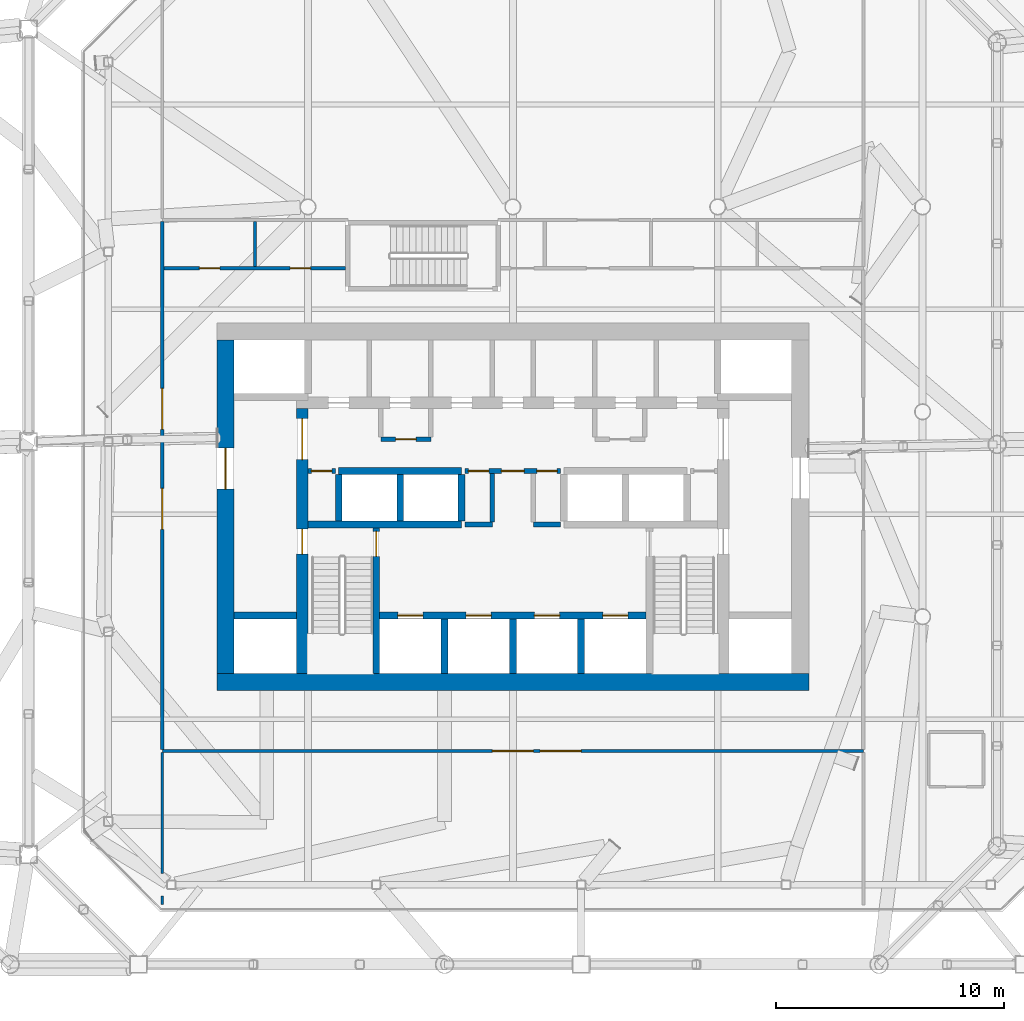
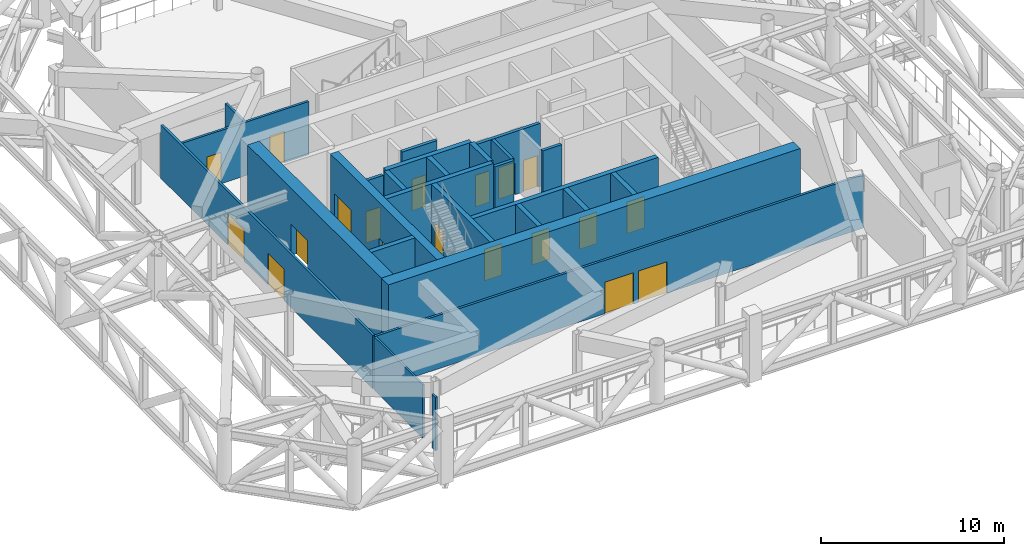
# One storey, part 13 of 21: 26 walls, 19 doors, 19 openings.
"""IFC4 building model written with IfcOpenShell, lengths in metres."""

from ifc_helpers import new_model, si_unit, direction, frame, frame_2d, origin, place, context, subcontext, project, spatial, rectangle, extrude, material, layer, layer_set, type_object, element, fill, save


model = new_model("IFC4")

# Units and contexts
model_context = context("Model", 3, precision=1e-05, world=origin(), true_north=direction((0.0, 1.0)))
body_context = subcontext(model_context, "Body", "Model", "MODEL_VIEW")
ifc_project = project(units=[si_unit("LENGTHUNIT", "METRE"), si_unit("AREAUNIT", "SQUARE_METRE"), si_unit("VOLUMEUNIT", "CUBIC_METRE"), si_unit("PLANEANGLEUNIT", "RADIAN"), si_unit("MASSUNIT", "GRAM", prefix="KILO")], contexts=[model_context])

# Site, building, storey
site_placement = place(None, origin())
site = spatial("IfcSite", under=ifc_project, at=site_placement, CompositionType="ELEMENT")
building_placement = place(site_placement, origin())
building = spatial("IfcBuilding", under=site, at=building_placement, Name="Tskaro Facet Tower", CompositionType="ELEMENT")
storey_placement = place(building_placement, frame((0.0, 0.0, 167.699951171875)))
storey = spatial("IfcBuildingStorey", under=building, at=storey_placement, Name="L41", CompositionType="ELEMENT", Elevation=167.699951171875)

# Wall
ifc_material_1 = material(Name="Concrete C60/75", Category="concrete")
ifc_layer_1 = layer(ifc_material_1, 0.300048828125, Name="Concrete C60/75")
ifc_layer_set_1 = layer_set([ifc_layer_1], Name="Concrete C60/75")
wall_type_1 = type_object("IfcWallType", Name="CORE-SHAFT", PredefinedType="SHEAR", material=ifc_layer_set_1)
wall_1_placement = place(storey_placement, frame((-12.25, -8.949951171875, 0.0), z_axis=(0.0, 0.0, 1.0), x_axis=(1.0, 0.0, 0.0)))
element("IfcWall", 1, at=wall_1_placement, inside=storey, type_object=wall_type_1, Name="Shaft wall W004", PredefinedType="SHEAR", context=body_context, shape_type="SweptSolid", body=[
    extrude(rectangle(XDim=2.75, YDim=0.300048828125, at=frame_2d((1.375, 0.0))), origin(), (0.0, 0.0, 1.0), 4.5),
])

# Wall, openings, doors
wall_2_placement = place(storey_placement, frame((-5.85009765625, -8.949951171875, 0.0), z_axis=(0.0, 0.0, 1.0), x_axis=(1.0, 0.0, 0.0)))
wall_2 = element("IfcWall", 2, at=wall_2_placement, inside=storey, type_object=wall_type_1, Name="Shaft wall W005", PredefinedType="SHEAR", context=body_context, shape_type="SweptSolid", body=[
    extrude(rectangle(XDim=11.7001953125, YDim=0.300048828125, at=frame_2d((5.85009765625, 0.0))), origin(), (0.0, 0.0, 1.0), 4.5),
])
opening_1_placement = place(wall_2_placement, frame((0.800048828125, 0.0, 0.0)))
opening_1 = element("IfcOpeningElement", 3, at=opening_1_placement, cuts=wall_2, Name="Opening LD-FF1", PredefinedType="OPENING", context=body_context, shape_type="SweptSolid", body=[
    extrude(rectangle(XDim=1.10009765625, YDim=2.10009765625, at=frame_2d((0.550048828125, 1.050048828125))), frame((0.0, 0.159912109375, 0.0), z_axis=(0.0, -1.0, 0.0), x_axis=(1.0, 0.0, 0.0)), (0.0, 0.0, 1.0), 0.320068359375),
])
opening_2_placement = place(wall_2_placement, frame((3.800048828125, 0.0, 0.0)))
opening_2 = element("IfcOpeningElement", 4, at=opening_2_placement, cuts=wall_2, Name="Opening LD-FF2", PredefinedType="OPENING", context=body_context, shape_type="SweptSolid", body=[
    extrude(rectangle(XDim=1.10009765625, YDim=2.10009765625, at=frame_2d((0.550048828125, 1.050048828125))), frame((0.0, 0.159912109375, 0.0), z_axis=(0.0, -1.0, 0.0), x_axis=(1.0, 0.0, 0.0)), (0.0, 0.0, 1.0), 0.320068359375),
])
opening_3_placement = place(wall_2_placement, frame((6.800048828125, 0.0, 0.0)))
opening_3 = element("IfcOpeningElement", 5, at=opening_3_placement, cuts=wall_2, Name="Opening LD-SV1", PredefinedType="OPENING", context=body_context, shape_type="SweptSolid", body=[
    extrude(rectangle(XDim=1.10009765625, YDim=2.10009765625, at=frame_2d((0.550048828125, 1.050048828125))), frame((0.0, 0.159912109375, 0.0), z_axis=(0.0, -1.0, 0.0), x_axis=(1.0, 0.0, 0.0)), (0.0, 0.0, 1.0), 0.320068359375),
])
opening_4_placement = place(wall_2_placement, frame((9.800048828125, 0.0, 0.0)))
opening_4 = element("IfcOpeningElement", 6, at=opening_4_placement, cuts=wall_2, Name="Opening LD-SV2", PredefinedType="OPENING", context=body_context, shape_type="SweptSolid", body=[
    extrude(rectangle(XDim=1.10009765625, YDim=2.10009765625, at=frame_2d((0.550048828125, 1.050048828125))), frame((0.0, 0.159912109375, 0.0), z_axis=(0.0, -1.0, 0.0), x_axis=(1.0, 0.0, 0.0)), (0.0, 0.0, 1.0), 0.320068359375),
])
ifc_material_2 = material(Name="Stainless steel", Category="steel")
door_type_1 = type_object("IfcDoorType", Name="D-LANDING", OperationType="NOTDEFINED", PredefinedType="DOOR", material=ifc_material_2)
door_1_placement = place(opening_1_placement, origin())
door_1 = element("IfcDoor", 7, at=door_1_placement, inside=storey, type_object=door_type_1, Name="Landing door FF1", OperationType="DOUBLE_DOOR_SLIDING", OverallHeight=2.10009765625, OverallWidth=1.10009765625, PredefinedType="DOOR", context=body_context, shape_type="SweptSolid", body=[
    extrude(rectangle(XDim=1.10009765625, YDim=2.10009765625, at=frame_2d((0.550048828125, 1.050048828125))), frame((0.0, 0.02490234375, 0.0), z_axis=(0.0, -1.0, 0.0), x_axis=(1.0, 0.0, 0.0)), (0.0, 0.0, 1.0), 0.050048828125),
])
fill(opening_1, door_1)
door_2_placement = place(opening_2_placement, origin())
door_2 = element("IfcDoor", 8, at=door_2_placement, inside=storey, type_object=door_type_1, Name="Landing door FF2", OperationType="DOUBLE_DOOR_SLIDING", OverallHeight=2.10009765625, OverallWidth=1.10009765625, PredefinedType="DOOR", context=body_context, shape_type="SweptSolid", body=[
    extrude(rectangle(XDim=1.10009765625, YDim=2.10009765625, at=frame_2d((0.550048828125, 1.050048828125))), frame((0.0, 0.02490234375, 0.0), z_axis=(0.0, -1.0, 0.0), x_axis=(1.0, 0.0, 0.0)), (0.0, 0.0, 1.0), 0.050048828125),
])
fill(opening_2, door_2)
door_3_placement = place(opening_3_placement, origin())
door_3 = element("IfcDoor", 9, at=door_3_placement, inside=storey, type_object=door_type_1, Name="Landing door SV1", OperationType="DOUBLE_DOOR_SLIDING", OverallHeight=2.10009765625, OverallWidth=1.10009765625, PredefinedType="DOOR", context=body_context, shape_type="SweptSolid", body=[
    extrude(rectangle(XDim=1.10009765625, YDim=2.10009765625, at=frame_2d((0.550048828125, 1.050048828125))), frame((0.0, 0.02490234375, 0.0), z_axis=(0.0, -1.0, 0.0), x_axis=(1.0, 0.0, 0.0)), (0.0, 0.0, 1.0), 0.050048828125),
])
fill(opening_3, door_3)
door_4_placement = place(opening_4_placement, origin())
door_4 = element("IfcDoor", 10, at=door_4_placement, inside=storey, type_object=door_type_1, Name="Landing door SV2", OperationType="DOUBLE_DOOR_SLIDING", OverallHeight=2.10009765625, OverallWidth=1.10009765625, PredefinedType="DOOR", context=body_context, shape_type="SweptSolid", body=[
    extrude(rectangle(XDim=1.10009765625, YDim=2.10009765625, at=frame_2d((0.550048828125, 1.050048828125))), frame((0.0, 0.02490234375, 0.0), z_axis=(0.0, -1.0, 0.0), x_axis=(1.0, 0.0, 0.0)), (0.0, 0.0, 1.0), 0.050048828125),
])
fill(opening_4, door_4)

# Walls
wall_3_placement = place(storey_placement, frame((-9.0, -4.949951171875, 0.0), z_axis=(0.0, 0.0, 1.0), x_axis=(1.0, 0.0, 0.0)))
element("IfcWall", 11, at=wall_3_placement, inside=storey, type_object=wall_type_1, Name="Shaft wall W007", PredefinedType="SHEAR", context=body_context, shape_type="SweptSolid", body=[
    extrude(rectangle(XDim=6.75, YDim=0.300048828125, at=frame_2d((3.375, 0.0))), origin(), (0.0, 0.0, 1.0), 4.5),
])
wall_4_placement = place(storey_placement, frame((-7.64990234375, -2.60009765625, 0.0), z_axis=(0.0, 0.0, 1.0), x_axis=(1.0, 0.0, 0.0)))
element("IfcWall", 12, at=wall_4_placement, inside=storey, type_object=wall_type_1, Name="Shaft wall W012", PredefinedType="SHEAR", context=body_context, shape_type="SweptSolid", body=[
    extrude(rectangle(XDim=5.39990234375, YDim=0.300048828125, at=frame_2d((2.699951171875, 0.0))), origin(), (0.0, 0.0, 1.0), 4.5),
])
wall_5_placement = place(storey_placement, frame((-7.64990234375, -4.800048828125, 0.0), z_axis=(0.0, 0.0, 1.0), x_axis=(0.0, 1.0, 0.0)))
element("IfcWall", 13, at=wall_5_placement, inside=storey, type_object=wall_type_1, Name="Shaft wall W033", PredefinedType="SHEAR", context=body_context, shape_type="SweptSolid", body=[
    extrude(rectangle(XDim=2.050048828125, YDim=0.300048828125, at=frame_2d((1.02490234375, 0.0))), origin(), (0.0, 0.0, 1.0), 4.5),
])

# Wall, opening, door
wall_6_placement = place(storey_placement, frame((-6.0, -11.5, 0.0), z_axis=(0.0, 0.0, 1.0), x_axis=(0.0, 1.0, 0.0)))
wall_6 = element("IfcWall", 14, at=wall_6_placement, inside=storey, type_object=wall_type_1, Name="Shaft wall W036", PredefinedType="SHEAR", context=body_context, shape_type="SweptSolid", body=[
    extrude(rectangle(XDim=6.39990234375, YDim=0.300048828125, at=frame_2d((3.199951171875, 0.0))), origin(), (0.0, 0.0, 1.0), 4.5),
])
opening_5_placement = place(wall_6_placement, frame((5.14990234375, 0.0, 0.0)))
opening_5 = element("IfcOpeningElement", 15, at=opening_5_placement, cuts=wall_6, Name="Opening ST-1-D1", PredefinedType="OPENING", context=body_context, shape_type="SweptSolid", body=[
    extrude(rectangle(XDim=1.10009765625, YDim=2.10009765625, at=frame_2d((0.550048828125, 1.050048828125))), frame((0.0, 0.159912109375, 0.0), z_axis=(0.0, -1.0, 0.0), x_axis=(1.0, 0.0, 0.0)), (0.0, 0.0, 1.0), 0.320068359375),
])
ifc_material_3 = material(Name="Steel", Category="steel")
door_type_2 = type_object("IfcDoorType", Name="D-STAIR", OperationType="NOTDEFINED", PredefinedType="DOOR", material=ifc_material_3)
door_5_placement = place(opening_5_placement, origin())
door_5 = element("IfcDoor", 16, at=door_5_placement, inside=storey, type_object=door_type_2, Name="Stair door 1", OperationType="SINGLE_SWING_LEFT", OverallHeight=2.10009765625, OverallWidth=1.10009765625, PredefinedType="DOOR", context=body_context, shape_type="SweptSolid", body=[
    extrude(rectangle(XDim=1.10009765625, YDim=2.10009765625, at=frame_2d((0.550048828125, 1.050048828125))), frame((0.0, 0.02490234375, 0.0), z_axis=(0.0, -1.0, 0.0), x_axis=(1.0, 0.0, 0.0)), (0.0, 0.0, 1.0), 0.050048828125),
])
fill(opening_5, door_5)

# Walls
wall_7_placement = place(storey_placement, frame((-4.949951171875, -4.800048828125, 0.0), z_axis=(0.0, 0.0, 1.0), x_axis=(0.0, 1.0, 0.0)))
element("IfcWall", 17, at=wall_7_placement, inside=storey, type_object=wall_type_1, Name="Shaft wall W038", PredefinedType="SHEAR", context=body_context, shape_type="SweptSolid", body=[
    extrude(rectangle(XDim=2.050048828125, YDim=0.300048828125, at=frame_2d((1.02490234375, 0.0))), origin(), (0.0, 0.0, 1.0), 4.5),
])
wall_8_placement = place(storey_placement, frame((-3.0, -11.5, 0.0), z_axis=(0.0, 0.0, 1.0), x_axis=(0.0, 1.0, 0.0)))
element("IfcWall", 18, at=wall_8_placement, inside=storey, type_object=wall_type_1, Name="Shaft wall W041", PredefinedType="SHEAR", context=body_context, shape_type="SweptSolid", body=[
    extrude(rectangle(XDim=2.39990234375, YDim=0.300048828125, at=frame_2d((1.199951171875, 0.0))), origin(), (0.0, 0.0, 1.0), 4.5),
])
wall_9_placement = place(storey_placement, frame((-2.25, -4.800048828125, 0.0), z_axis=(0.0, 0.0, 1.0), x_axis=(0.0, 1.0, 0.0)))
element("IfcWall", 19, at=wall_9_placement, inside=storey, type_object=wall_type_1, Name="Shaft wall W042", PredefinedType="SHEAR", context=body_context, shape_type="SweptSolid", body=[
    extrude(rectangle(XDim=2.050048828125, YDim=0.300048828125, at=frame_2d((1.02490234375, 0.0))), origin(), (0.0, 0.0, 1.0), 4.5),
])
for number, where, z_axis, x_axis, name in (
    (20, (0.0, -11.5, 0.0), (0.0, 0.0, 1.0), (0.0, 1.0, 0.0), "Shaft wall W046"),
    (21, (3.0, -11.5, 0.0), (0.0, 0.0, 1.0), (0.0, 1.0, 0.0), "Shaft wall W051"),
):
    element("IfcWall", number, at=place(storey_placement, frame(where, z_axis=z_axis, x_axis=x_axis)), inside=storey, type_object=wall_type_1, Name=name, PredefinedType="SHEAR", context=body_context, shape_type="SweptSolid", body=[
        extrude(rectangle(XDim=2.39990234375, YDim=0.300048828125, at=frame_2d((1.199951171875, 0.0))), origin(), (0.0, 0.0, 1.0), 4.5),
    ])
ifc_material_4 = material(Name="Concrete C20/25", Category="concrete")
ifc_layer_2 = layer(ifc_material_4, 0.199951171875, Name="Concrete C20/25")
ifc_layer_set_2 = layer_set([ifc_layer_2], Name="Concrete C20/25")
wall_type_2 = type_object("IfcWallType", Name="CORE-WALL", PredefinedType="SOLIDWALL", material=ifc_layer_set_2)
for number, where, z_axis, x_axis, name in (
    (22, (-2.10009765625, -4.949951171875, 0.0), (0.0, 0.0, 1.0), (1.0, 0.0, 0.0), "Core room wall W008"),
    (23, (0.89990234375, -4.949951171875, 0.0), (0.0, 0.0, 1.0), (1.0, 0.0, 0.0), "Core room wall W009"),
):
    element("IfcWall", number, at=place(storey_placement, frame(where, z_axis=z_axis, x_axis=x_axis)), inside=storey, type_object=wall_type_2, Name=name, PredefinedType="SOLIDWALL", context=body_context, shape_type="SweptSolid", body=[
        extrude(rectangle(XDim=1.2001953125, YDim=0.199951171875, at=frame_2d((0.60009765625, 0.0))), origin(), (0.0, 0.0, 1.0), 4.199951171875),
    ])

# Wall, opening, door
wall_10_placement = place(storey_placement, frame((-7.800048828125, -2.60009765625, 0.0), z_axis=(0.0, 0.0, 1.0), x_axis=(-1.0, 0.0, 0.0)))
wall_10 = element("IfcWall", 24, at=wall_10_placement, inside=storey, type_object=wall_type_2, Name="Core room wall W011", PredefinedType="SOLIDWALL", context=body_context, shape_type="SweptSolid", body=[
    extrude(rectangle(XDim=1.199951171875, YDim=0.199951171875, at=frame_2d((0.60009765625, 0.0))), origin(), (0.0, 0.0, 1.0), 4.199951171875),
])
opening_6_placement = place(wall_10_placement, frame((0.14990234375, 0.0, 0.0)))
opening_6 = element("IfcOpeningElement", 25, at=opening_6_placement, cuts=wall_10, Name="Opening R41-D08", PredefinedType="OPENING", context=body_context, shape_type="SweptSolid", body=[
    extrude(rectangle(XDim=0.89990234375, YDim=2.10009765625, at=frame_2d((0.449951171875, 1.050048828125))), frame((0.0, 0.10986328125, 0.0), z_axis=(0.0, -1.0, 0.0), x_axis=(1.0, 0.0, 0.0)), (0.0, 0.0, 1.0), 0.219970703125),
])
ifc_material_5 = material(Name="Timber", Category="wood")
door_type_3 = type_object("IfcDoorType", Name="D-ROOM", OperationType="NOTDEFINED", PredefinedType="DOOR", material=ifc_material_5)
door_6_placement = place(opening_6_placement, origin())
door_6 = element("IfcDoor", 26, at=door_6_placement, inside=storey, type_object=door_type_3, Name="Door R41-D08", OperationType="SINGLE_SWING_RIGHT", OverallHeight=2.10009765625, OverallWidth=0.89990234375, PredefinedType="DOOR", context=body_context, shape_type="SweptSolid", body=[
    extrude(rectangle(XDim=0.89990234375, YDim=2.10009765625, at=frame_2d((0.449951171875, 1.050048828125))), frame((0.0, 0.02490234375, 0.0), z_axis=(0.0, -1.0, 0.0), x_axis=(1.0, 0.0, 0.0)), (0.0, 0.0, 1.0), 0.050048828125),
])
fill(opening_6, door_6)

# Wall, openings, doors
wall_11_placement = place(storey_placement, frame((2.10009765625, -2.60009765625, 0.0), z_axis=(0.0, 0.0, 1.0), x_axis=(-1.0, 0.0, 0.0)))
wall_11 = element("IfcWall", 27, at=wall_11_placement, inside=storey, type_object=wall_type_2, Name="Core room wall W013", PredefinedType="SOLIDWALL", context=body_context, shape_type="SweptSolid", body=[
    extrude(rectangle(XDim=4.2001953125, YDim=0.199951171875, at=frame_2d((2.10009765625, 0.0))), origin(), (0.0, 0.0, 1.0), 4.199951171875),
])
opening_7_placement = place(wall_11_placement, frame((1.60009765625, 0.0, 0.0)))
opening_7 = element("IfcOpeningElement", 28, at=opening_7_placement, cuts=wall_11, Name="Opening FL-D1", PredefinedType="OPENING", context=body_context, shape_type="SweptSolid", body=[
    extrude(rectangle(XDim=1.0, YDim=2.10009765625, at=frame_2d((0.5, 1.050048828125))), frame((0.0, 0.10986328125, 0.0), z_axis=(0.0, -1.0, 0.0), x_axis=(1.0, 0.0, 0.0)), (0.0, 0.0, 1.0), 0.219970703125),
])
opening_8_placement = place(wall_11_placement, frame((3.14990234375, 0.0, 0.0)))
opening_8 = element("IfcOpeningElement", 29, at=opening_8_placement, cuts=wall_11, Name="Opening R41-D09", PredefinedType="OPENING", context=body_context, shape_type="SweptSolid", body=[
    extrude(rectangle(XDim=0.89990234375, YDim=2.10009765625, at=frame_2d((0.449951171875, 1.050048828125))), frame((0.0, 0.10986328125, 0.0), z_axis=(0.0, -1.0, 0.0), x_axis=(1.0, 0.0, 0.0)), (0.0, 0.0, 1.0), 0.219970703125),
])
opening_9_placement = place(wall_11_placement, frame((0.14990234375, 0.0, 0.0)))
opening_9 = element("IfcOpeningElement", 30, at=opening_9_placement, cuts=wall_11, Name="Opening R41-D10", PredefinedType="OPENING", context=body_context, shape_type="SweptSolid", body=[
    extrude(rectangle(XDim=0.89990234375, YDim=2.10009765625, at=frame_2d((0.449951171875, 1.050048828125))), frame((0.0, 0.10986328125, 0.0), z_axis=(0.0, -1.0, 0.0), x_axis=(1.0, 0.0, 0.0)), (0.0, 0.0, 1.0), 0.219970703125),
])
door_type_4 = type_object("IfcDoorType", Name="D-LOBBY", OperationType="NOTDEFINED", PredefinedType="DOOR", material=ifc_material_3)
door_7_placement = place(opening_7_placement, origin())
door_7 = element("IfcDoor", 31, at=door_7_placement, inside=storey, type_object=door_type_4, Name="Lobby door FL", OperationType="SINGLE_SWING_RIGHT", OverallHeight=2.10009765625, OverallWidth=1.0, PredefinedType="DOOR", context=body_context, shape_type="SweptSolid", body=[
    extrude(rectangle(XDim=1.0, YDim=2.10009765625, at=frame_2d((0.5, 1.050048828125))), frame((0.0, 0.02490234375, 0.0), z_axis=(0.0, -1.0, 0.0), x_axis=(1.0, 0.0, 0.0)), (0.0, 0.0, 1.0), 0.050048828125),
])
fill(opening_7, door_7)
door_8_placement = place(opening_8_placement, origin())
door_8 = element("IfcDoor", 32, at=door_8_placement, inside=storey, type_object=door_type_3, Name="Door R41-D09", OperationType="SINGLE_SWING_RIGHT", OverallHeight=2.10009765625, OverallWidth=0.89990234375, PredefinedType="DOOR", context=body_context, shape_type="SweptSolid", body=[
    extrude(rectangle(XDim=0.89990234375, YDim=2.10009765625, at=frame_2d((0.449951171875, 1.050048828125))), frame((0.0, 0.02490234375, 0.0), z_axis=(0.0, -1.0, 0.0), x_axis=(1.0, 0.0, 0.0)), (0.0, 0.0, 1.0), 0.050048828125),
])
fill(opening_8, door_8)
door_9_placement = place(opening_9_placement, origin())
door_9 = element("IfcDoor", 33, at=door_9_placement, inside=storey, type_object=door_type_3, Name="Door R41-D10", OperationType="SINGLE_SWING_RIGHT", OverallHeight=2.10009765625, OverallWidth=0.89990234375, PredefinedType="DOOR", context=body_context, shape_type="SweptSolid", body=[
    extrude(rectangle(XDim=0.89990234375, YDim=2.10009765625, at=frame_2d((0.449951171875, 1.050048828125))), frame((0.0, 0.02490234375, 0.0), z_axis=(0.0, -1.0, 0.0), x_axis=(1.0, 0.0, 0.0)), (0.0, 0.0, 1.0), 0.050048828125),
])
fill(opening_9, door_9)

# Wall, opening, door
wall_12_placement = place(storey_placement, frame((-5.800048828125, -1.199951171875, 0.0), z_axis=(0.0, 0.0, 1.0), x_axis=(1.0, 0.0, 0.0)))
wall_12 = element("IfcWall", 34, at=wall_12_placement, inside=storey, type_object=wall_type_2, Name="Core room wall W016", PredefinedType="SOLIDWALL", context=body_context, shape_type="SweptSolid", body=[
    extrude(rectangle(XDim=2.199951171875, YDim=0.199951171875, at=frame_2d((1.10009765625, 0.0))), origin(), (0.0, 0.0, 1.0), 4.199951171875),
])
opening_10_placement = place(wall_12_placement, frame((0.64990234375, 0.0, 0.0)))
opening_10 = element("IfcOpeningElement", 35, at=opening_10_placement, cuts=wall_12, Name="Opening R41-D15", PredefinedType="OPENING", context=body_context, shape_type="SweptSolid", body=[
    extrude(rectangle(XDim=0.89990234375, YDim=2.10009765625, at=frame_2d((0.449951171875, 1.050048828125))), frame((0.0, 0.10986328125, 0.0), z_axis=(0.0, -1.0, 0.0), x_axis=(1.0, 0.0, 0.0)), (0.0, 0.0, 1.0), 0.219970703125),
])
door_10_placement = place(opening_10_placement, origin())
door_10 = element("IfcDoor", 36, at=door_10_placement, inside=storey, type_object=door_type_3, Name="Door R41-D15", OperationType="SINGLE_SWING_LEFT", OverallHeight=2.10009765625, OverallWidth=0.89990234375, PredefinedType="DOOR", context=body_context, shape_type="SweptSolid", body=[
    extrude(rectangle(XDim=0.89990234375, YDim=2.10009765625, at=frame_2d((0.449951171875, 1.050048828125))), frame((0.0, 0.02490234375, 0.0), z_axis=(0.0, -1.0, 0.0), x_axis=(1.0, 0.0, 0.0)), (0.0, 0.0, 1.0), 0.050048828125),
])
fill(opening_10, door_10)

# Wall
wall_13_placement = place(storey_placement, frame((-0.89990234375, -4.85009765625, 0.0), z_axis=(0.0, 0.0, 1.0), x_axis=(0.0, 1.0, 0.0)))
element("IfcWall", 37, at=wall_13_placement, inside=storey, type_object=wall_type_2, Name="Core room wall W043", PredefinedType="SOLIDWALL", context=body_context, shape_type="SweptSolid", body=[
    extrude(rectangle(XDim=2.150146484375, YDim=0.199951171875, at=frame_2d((1.0751953125, 0.0))), origin(), (0.0, 0.0, 1.0), 4.199951171875),
])

# Wall, openings, doors
ifc_material_6 = material(Name="Concrete C40/50", Category="concrete")
ifc_layer_3 = layer(ifc_material_6, 0.5, Name="Concrete C40/50")
ifc_layer_set_3 = layer_set([ifc_layer_3], Name="Concrete C40/50")
wall_type_3 = type_object("IfcWallType", Name="Core wall 500", PredefinedType="SHEAR", material=ifc_layer_set_3)
wall_14_placement = place(storey_placement, frame((-9.25, -11.5, 0.0), z_axis=(0.0, 0.0, 1.0), x_axis=(0.0, 1.0, 0.0)))
wall_14 = element("IfcWall", 38, at=wall_14_placement, inside=storey, type_object=wall_type_3, Name="Core wall CW-Z3W", PredefinedType="SHEAR", context=body_context, shape_type="SweptSolid", body=[
    extrude(rectangle(XDim=11.64990234375, YDim=0.5, at=frame_2d((5.824951171875, 0.0))), origin(), (0.0, 0.0, 1.0), 4.5),
])
opening_11_placement = place(wall_14_placement, frame((9.39990234375, 0.0, 0.0)))
opening_11 = element("IfcOpeningElement", 39, at=opening_11_placement, cuts=wall_14, Name="Opening R41-D14", PredefinedType="OPENING", context=body_context, shape_type="SweptSolid", body=[
    extrude(rectangle(XDim=1.800048828125, YDim=2.10009765625, at=frame_2d((0.89990234375, 1.050048828125))), frame((0.0, 0.260009765625, 0.0), z_axis=(0.0, -1.0, 0.0), x_axis=(1.0, 0.0, 0.0)), (0.0, 0.0, 1.0), 0.52001953125),
])
opening_12_placement = place(wall_14_placement, frame((5.25, 0.0, 0.0)))
opening_12 = element("IfcOpeningElement", 40, at=opening_12_placement, cuts=wall_14, Name="Opening ST-1-D2", PredefinedType="OPENING", context=body_context, shape_type="SweptSolid", body=[
    extrude(rectangle(XDim=1.10009765625, YDim=2.10009765625, at=frame_2d((0.550048828125, 1.050048828125))), frame((0.0, 0.260009765625, 0.0), z_axis=(0.0, -1.0, 0.0), x_axis=(1.0, 0.0, 0.0)), (0.0, 0.0, 1.0), 0.52001953125),
])
door_type_5 = type_object("IfcDoorType", Name="D-CORE-PAIR", OperationType="NOTDEFINED", PredefinedType="DOOR", material=ifc_material_3)
door_11_placement = place(opening_11_placement, origin())
door_11 = element("IfcDoor", 41, at=door_11_placement, inside=storey, type_object=door_type_5, Name="Door R41-D14", OperationType="DOUBLE_DOOR_SINGLE_SWING", OverallHeight=2.10009765625, OverallWidth=1.800048828125, PredefinedType="DOOR", context=body_context, shape_type="SweptSolid", body=[
    extrude(rectangle(XDim=1.800048828125, YDim=2.10009765625, at=frame_2d((0.89990234375, 1.050048828125))), frame((0.0, 0.02490234375, 0.0), z_axis=(0.0, -1.0, 0.0), x_axis=(1.0, 0.0, 0.0)), (0.0, 0.0, 1.0), 0.050048828125),
])
fill(opening_11, door_11)
door_12_placement = place(opening_12_placement, origin())
door_12 = element("IfcDoor", 42, at=door_12_placement, inside=storey, type_object=door_type_2, Name="Stair door 1 west", OperationType="SINGLE_SWING_LEFT", OverallHeight=2.10009765625, OverallWidth=1.10009765625, PredefinedType="DOOR", context=body_context, shape_type="SweptSolid", body=[
    extrude(rectangle(XDim=1.10009765625, YDim=2.10009765625, at=frame_2d((0.550048828125, 1.050048828125))), frame((0.0, 0.02490234375, 0.0), z_axis=(0.0, -1.0, 0.0), x_axis=(1.0, 0.0, 0.0)), (0.0, 0.0, 1.0), 0.050048828125),
])
fill(opening_12, door_12)

# Wall
ifc_material_7 = material(Name="Concrete C50/60", Category="concrete")
ifc_layer_4 = layer(ifc_material_7, 0.75, Name="Concrete C50/60")
ifc_layer_set_4 = layer_set([ifc_layer_4], Name="Concrete C50/60")
wall_type_4 = type_object("IfcWallType", Name="Core wall 750", PredefinedType="SHEAR", material=ifc_layer_set_4)
wall_15_placement = place(storey_placement, frame((-13.0, -11.875, 0.0), z_axis=(0.0, 0.0, 1.0), x_axis=(1.0, 0.0, 0.0)))
element("IfcWall", 43, at=wall_15_placement, inside=storey, type_object=wall_type_4, Name="Core wall CW-Z2S", PredefinedType="SHEAR", context=body_context, shape_type="SweptSolid", body=[
    extrude(rectangle(XDim=26.0, YDim=0.75, at=frame_2d((13.0, 0.0))), origin(), (0.0, 0.0, 1.0), 4.5),
])

# Wall, opening, door
wall_16_placement = place(storey_placement, frame((-12.625, -11.5, 0.0), z_axis=(0.0, 0.0, 1.0), x_axis=(0.0, 1.0, 0.0)))
wall_16 = element("IfcWall", 44, at=wall_16_placement, inside=storey, type_object=wall_type_4, Name="Core wall CW-Z2W", PredefinedType="SHEAR", context=body_context, shape_type="SweptSolid", body=[
    extrude(rectangle(XDim=14.64990234375, YDim=0.75, at=frame_2d((7.324951171875, 0.0))), origin(), (0.0, 0.0, 1.0), 4.5),
])
opening_13_placement = place(wall_16_placement, frame((8.10009765625, 0.0, 0.0)))
opening_13 = element("IfcOpeningElement", 45, at=opening_13_placement, cuts=wall_16, Name="Opening R41-D18", PredefinedType="OPENING", context=body_context, shape_type="SweptSolid", body=[
    extrude(rectangle(XDim=1.800048828125, YDim=2.10009765625, at=frame_2d((0.89990234375, 1.050048828125))), frame((0.0, 0.385009765625, 0.0), z_axis=(0.0, -1.0, 0.0), x_axis=(1.0, 0.0, 0.0)), (0.0, 0.0, 1.0), 0.77001953125),
])
door_13_placement = place(opening_13_placement, origin())
door_13 = element("IfcDoor", 46, at=door_13_placement, inside=storey, type_object=door_type_5, Name="Door R41-D18", OperationType="DOUBLE_DOOR_SINGLE_SWING", OverallHeight=2.10009765625, OverallWidth=1.800048828125, PredefinedType="DOOR", context=body_context, shape_type="SweptSolid", body=[
    extrude(rectangle(XDim=1.800048828125, YDim=2.10009765625, at=frame_2d((0.89990234375, 1.050048828125))), frame((0.0, 0.02490234375, 0.0), z_axis=(0.0, -1.0, 0.0), x_axis=(1.0, 0.0, 0.0)), (0.0, 0.0, 1.0), 0.050048828125),
])
fill(opening_13, door_13)

# Walls
ifc_material_8 = material(Name="Gypsum board on steel studs", Category="steel")
ifc_layer_5 = layer(ifc_material_8, 0.125, Name="Gypsum board on steel studs")
ifc_layer_set_5 = layer_set([ifc_layer_5], Name="Gypsum board on steel studs")
wall_type_5 = type_object("IfcWallType", Name="PART", PredefinedType="PARTITIONING", material=ifc_layer_set_5)
wall_17_placement = place(storey_placement, frame((-15.39990234375, -21.64599609375, 0.0), z_axis=(0.0, 0.0, 1.0), x_axis=(0.0, 1.0, 0.0)))
element("IfcWall", 47, at=wall_17_placement, inside=storey, type_object=wall_type_5, Name="Partition W027", PredefinedType="PARTITIONING", context=body_context, shape_type="SweptSolid", body=[
    extrude(rectangle(XDim=0.3720703125, YDim=0.125, at=frame_2d((0.18603515625, 0.0))), origin(), (0.0, 0.0, 1.0), 3.56005859375),
])
wall_18_placement = place(storey_placement, frame((-15.39990234375, -20.27392578125, 0.0), z_axis=(0.0, 0.0, 1.0), x_axis=(0.0, 1.0, 0.0)))
element("IfcWall", 48, at=wall_18_placement, inside=storey, type_object=wall_type_5, Name="Partition W028", PredefinedType="PARTITIONING", context=body_context, shape_type="SweptSolid", body=[
    extrude(rectangle(XDim=5.298828125, YDim=0.125, at=frame_2d((2.6494140625, 0.0))), origin(), (0.0, 0.0, 1.0), 3.56005859375),
])

# Wall, openings, doors
ifc_layer_6 = layer(ifc_material_8, 0.14990234375, Name="Gypsum board on steel studs")
ifc_layer_set_6 = layer_set([ifc_layer_6], Name="Gypsum board on steel studs")
wall_type_6 = type_object("IfcWallType", Name="PART-CORR", PredefinedType="PARTITIONING", material=ifc_layer_set_6)
wall_19_placement = place(storey_placement, frame((-15.39990234375, -14.89990234375, 0.0), z_axis=(0.0, 0.0, 1.0), x_axis=(1.0, 0.0, 0.0)))
wall_19 = element("IfcWall", 49, at=wall_19_placement, inside=storey, type_object=wall_type_6, Name="Corridor wall W002", PredefinedType="PARTITIONING", context=body_context, shape_type="SweptSolid", body=[
    extrude(rectangle(XDim=30.7998046875, YDim=0.14990234375, at=frame_2d((15.39990234375, 0.0))), origin(), (0.0, 0.0, 1.0), 3.56005859375),
])
opening_14_placement = place(wall_19_placement, frame((14.5, 0.0, 0.0)))
opening_14 = element("IfcOpeningElement", 50, at=opening_14_placement, cuts=wall_19, Name="Opening R41-D02", PredefinedType="OPENING", context=body_context, shape_type="SweptSolid", body=[
    extrude(rectangle(XDim=1.800048828125, YDim=2.10009765625, at=frame_2d((0.89990234375, 1.050048828125))), frame((0.0, 0.0849609375, 0.0), z_axis=(0.0, -1.0, 0.0), x_axis=(1.0, 0.0, 0.0)), (0.0, 0.0, 1.0), 0.169921875),
])
opening_15_placement = place(wall_19_placement, frame((16.60009765625, 0.0, 0.0)))
opening_15 = element("IfcOpeningElement", 51, at=opening_15_placement, cuts=wall_19, Name="Opening R41-D03", PredefinedType="OPENING", context=body_context, shape_type="SweptSolid", body=[
    extrude(rectangle(XDim=1.800048828125, YDim=2.10009765625, at=frame_2d((0.89990234375, 1.050048828125))), frame((0.0, 0.0849609375, 0.0), z_axis=(0.0, -1.0, 0.0), x_axis=(1.0, 0.0, 0.0)), (0.0, 0.0, 1.0), 0.169921875),
])
ifc_material_9 = material(Name="Glass", Category="glass")
door_type_6 = type_object("IfcDoorType", Name="D-ENTRY-PAIR", OperationType="NOTDEFINED", PredefinedType="DOOR", material=ifc_material_9)
door_14_placement = place(opening_14_placement, origin())
door_14 = element("IfcDoor", 52, at=door_14_placement, inside=storey, type_object=door_type_6, Name="Door R41-D02", OperationType="DOUBLE_DOOR_SINGLE_SWING", OverallHeight=2.10009765625, OverallWidth=1.800048828125, PredefinedType="DOOR", context=body_context, shape_type="SweptSolid", body=[
    extrude(rectangle(XDim=1.800048828125, YDim=2.10009765625, at=frame_2d((0.89990234375, 1.050048828125))), frame((0.0, 0.02490234375, 0.0), z_axis=(0.0, -1.0, 0.0), x_axis=(1.0, 0.0, 0.0)), (0.0, 0.0, 1.0), 0.050048828125),
])
fill(opening_14, door_14)
door_15_placement = place(opening_15_placement, origin())
door_15 = element("IfcDoor", 53, at=door_15_placement, inside=storey, type_object=door_type_6, Name="Door R41-D03", OperationType="DOUBLE_DOOR_SINGLE_SWING", OverallHeight=2.10009765625, OverallWidth=1.800048828125, PredefinedType="DOOR", context=body_context, shape_type="SweptSolid", body=[
    extrude(rectangle(XDim=1.800048828125, YDim=2.10009765625, at=frame_2d((0.89990234375, 1.050048828125))), frame((0.0, 0.02490234375, 0.0), z_axis=(0.0, -1.0, 0.0), x_axis=(1.0, 0.0, 0.0)), (0.0, 0.0, 1.0), 0.050048828125),
])
fill(opening_15, door_15)

wall_20_placement = place(storey_placement, frame((-15.324951171875, 6.300048828125, 0.0), z_axis=(0.0, 0.0, 1.0), x_axis=(1.0, 0.0, 0.0)))
wall_20 = element("IfcWall", 54, at=wall_20_placement, inside=storey, type_object=wall_type_6, Name="Corridor wall W021", PredefinedType="PARTITIONING", context=body_context, shape_type="SweptSolid", body=[
    extrude(rectangle(XDim=7.974853515625, YDim=0.14990234375, at=frame_2d((3.9873046875, 0.0))), origin(), (0.0, 0.0, 1.0), 3.56005859375),
])
opening_16_placement = place(wall_20_placement, frame((1.550048828125, 0.0, 0.0)))
opening_16 = element("IfcOpeningElement", 55, at=opening_16_placement, cuts=wall_20, Name="Opening R41-D29", PredefinedType="OPENING", context=body_context, shape_type="SweptSolid", body=[
    extrude(rectangle(XDim=0.89990234375, YDim=2.10009765625, at=frame_2d((0.449951171875, 1.050048828125))), frame((0.0, 0.0849609375, 0.0), z_axis=(0.0, -1.0, 0.0), x_axis=(1.0, 0.0, 0.0)), (0.0, 0.0, 1.0), 0.169921875),
])
opening_17_placement = place(wall_20_placement, frame((5.53759765625, 0.0, 0.0)))
opening_17 = element("IfcOpeningElement", 56, at=opening_17_placement, cuts=wall_20, Name="Opening R41-D30", PredefinedType="OPENING", context=body_context, shape_type="SweptSolid", body=[
    extrude(rectangle(XDim=0.89990234375, YDim=2.10009765625, at=frame_2d((0.449951171875, 1.050048828125))), frame((0.0, 0.0849609375, 0.0), z_axis=(0.0, -1.0, 0.0), x_axis=(1.0, 0.0, 0.0)), (0.0, 0.0, 1.0), 0.169921875),
])
door_16_placement = place(opening_16_placement, origin())
door_16 = element("IfcDoor", 57, at=door_16_placement, inside=storey, type_object=door_type_3, Name="Door R41-D29", OperationType="SINGLE_SWING_LEFT", OverallHeight=2.10009765625, OverallWidth=0.89990234375, PredefinedType="DOOR", context=body_context, shape_type="SweptSolid", body=[
    extrude(rectangle(XDim=0.89990234375, YDim=2.10009765625, at=frame_2d((0.449951171875, 1.050048828125))), frame((0.0, 0.02490234375, 0.0), z_axis=(0.0, -1.0, 0.0), x_axis=(1.0, 0.0, 0.0)), (0.0, 0.0, 1.0), 0.050048828125),
])
fill(opening_16, door_16)
door_17_placement = place(opening_17_placement, origin())
door_17 = element("IfcDoor", 58, at=door_17_placement, inside=storey, type_object=door_type_3, Name="Door R41-D30", OperationType="SINGLE_SWING_LEFT", OverallHeight=2.10009765625, OverallWidth=0.89990234375, PredefinedType="DOOR", context=body_context, shape_type="SweptSolid", body=[
    extrude(rectangle(XDim=0.89990234375, YDim=2.10009765625, at=frame_2d((0.449951171875, 1.050048828125))), frame((0.0, 0.02490234375, 0.0), z_axis=(0.0, -1.0, 0.0), x_axis=(1.0, 0.0, 0.0)), (0.0, 0.0, 1.0), 0.050048828125),
])
fill(opening_17, door_17)

wall_21_placement = place(storey_placement, frame((-15.39990234375, 8.35009765625, 0.0), z_axis=(0.0, 0.0, 1.0), x_axis=(0.0, -1.0, 0.0)))
wall_21 = element("IfcWall", 59, at=wall_21_placement, inside=storey, type_object=wall_type_6, Name="Corridor wall W029", PredefinedType="PARTITIONING", context=body_context, shape_type="SweptSolid", body=[
    extrude(rectangle(XDim=23.175048828125, YDim=0.14990234375, at=frame_2d((11.58740234375, 0.0))), origin(), (0.0, 0.0, 1.0), 3.56005859375),
])
opening_18_placement = place(wall_21_placement, frame((11.71240234375, 0.0, 0.0)))
opening_18 = element("IfcOpeningElement", 60, at=opening_18_placement, cuts=wall_21, Name="Opening R41-D07", PredefinedType="OPENING", context=body_context, shape_type="SweptSolid", body=[
    extrude(rectangle(XDim=1.800048828125, YDim=2.10009765625, at=frame_2d((0.89990234375, 1.050048828125))), frame((0.0, 0.0849609375, 0.0), z_axis=(0.0, -1.0, 0.0), x_axis=(1.0, 0.0, 0.0)), (0.0, 0.0, 1.0), 0.169921875),
])
opening_19_placement = place(wall_21_placement, frame((7.324951171875, 0.0, 0.0)))
opening_19 = element("IfcOpeningElement", 61, at=opening_19_placement, cuts=wall_21, Name="Opening R41-D13", PredefinedType="OPENING", context=body_context, shape_type="SweptSolid", body=[
    extrude(rectangle(XDim=1.800048828125, YDim=2.10009765625, at=frame_2d((0.89990234375, 1.050048828125))), frame((0.0, 0.0849609375, 0.0), z_axis=(0.0, -1.0, 0.0), x_axis=(1.0, 0.0, 0.0)), (0.0, 0.0, 1.0), 0.169921875),
])
door_18_placement = place(opening_18_placement, origin())
door_18 = element("IfcDoor", 62, at=door_18_placement, inside=storey, type_object=door_type_6, Name="Door R41-D07", OperationType="DOUBLE_DOOR_SINGLE_SWING", OverallHeight=2.10009765625, OverallWidth=1.800048828125, PredefinedType="DOOR", context=body_context, shape_type="SweptSolid", body=[
    extrude(rectangle(XDim=1.800048828125, YDim=2.10009765625, at=frame_2d((0.89990234375, 1.050048828125))), frame((0.0, 0.02490234375, 0.0), z_axis=(0.0, -1.0, 0.0), x_axis=(1.0, 0.0, 0.0)), (0.0, 0.0, 1.0), 0.050048828125),
])
fill(opening_18, door_18)
door_19_placement = place(opening_19_placement, origin())
door_19 = element("IfcDoor", 63, at=door_19_placement, inside=storey, type_object=door_type_6, Name="Door R41-D13", OperationType="DOUBLE_DOOR_SINGLE_SWING", OverallHeight=2.10009765625, OverallWidth=1.800048828125, PredefinedType="DOOR", context=body_context, shape_type="SweptSolid", body=[
    extrude(rectangle(XDim=1.800048828125, YDim=2.10009765625, at=frame_2d((0.89990234375, 1.050048828125))), frame((0.0, 0.02490234375, 0.0), z_axis=(0.0, -1.0, 0.0), x_axis=(1.0, 0.0, 0.0)), (0.0, 0.0, 1.0), 0.050048828125),
])
fill(opening_19, door_19)

# Wall
wall_22_placement = place(storey_placement, frame((-11.324951171875, 6.375, 0.0), z_axis=(0.0, 0.0, 1.0), x_axis=(0.0, 1.0, 0.0)))
element("IfcWall", 64, at=wall_22_placement, inside=storey, type_object=wall_type_6, Name="Corridor wall W031", PredefinedType="PARTITIONING", context=body_context, shape_type="SweptSolid", body=[
    extrude(rectangle(XDim=1.97509765625, YDim=0.14990234375, at=frame_2d((0.987548828125, 0.0))), origin(), (0.0, 0.0, 1.0), 3.56005859375),
])

save(model, "model.ifc")
